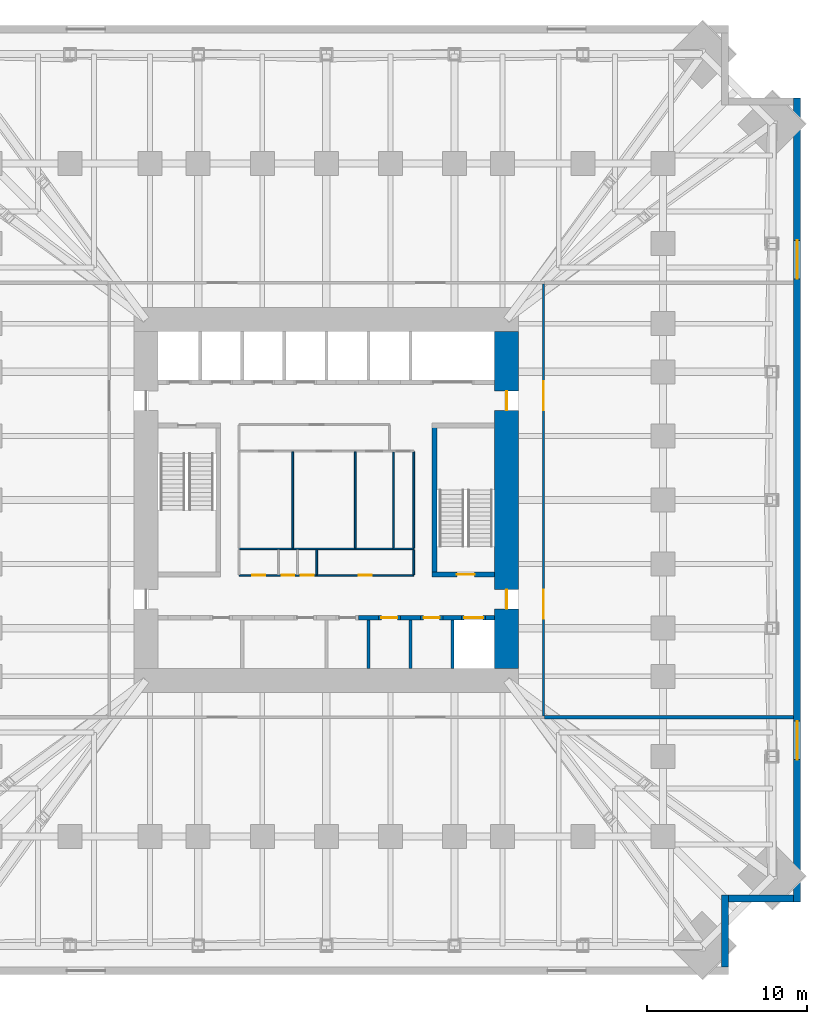
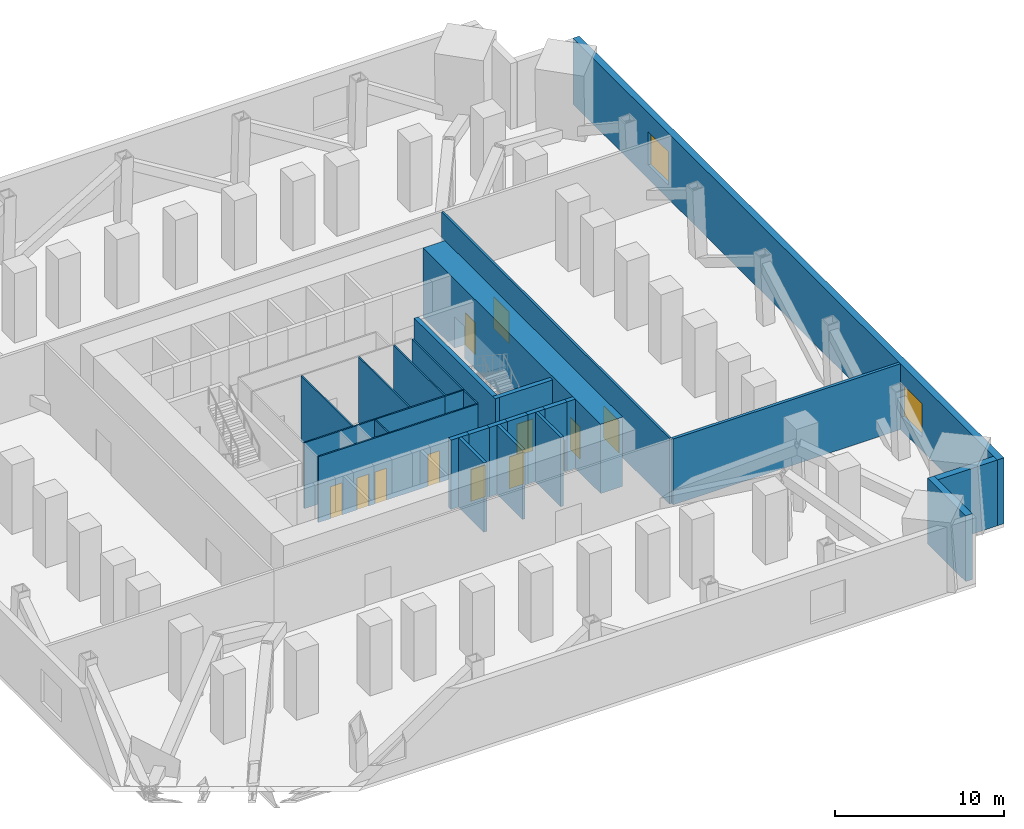
# One storey, part 6 of 9: 27 walls, 12 doors, 2 windows, 14 openings.
"""IFC4 building model written with IfcOpenShell, lengths in metres."""

from ifc_helpers import new_model, si_unit, direction, frame, frame_2d, origin, place, context, subcontext, project, spatial, rectangle, extrude, material, layer, layer_set, type_object, element, fill, save


model = new_model("IFC4")

# Units and contexts
model_context = context("Model", 3, precision=1e-05, world=origin(), true_north=direction((0.0, 1.0)))
body_context = subcontext(model_context, "Body", "Model", "MODEL_VIEW")
ifc_project = project(units=[si_unit("LENGTHUNIT", "METRE"), si_unit("AREAUNIT", "SQUARE_METRE"), si_unit("VOLUMEUNIT", "CUBIC_METRE"), si_unit("PLANEANGLEUNIT", "RADIAN"), si_unit("MASSUNIT", "GRAM", prefix="KILO")], contexts=[model_context])

# Site, building, storey
site_placement = place(None, origin())
site = spatial("IfcSite", under=ifc_project, at=site_placement, CompositionType="ELEMENT")
building_placement = place(site_placement, origin())
building = spatial("IfcBuilding", under=site, at=building_placement, Name="Peilmerk Tower", CompositionType="ELEMENT")
storey_placement = place(building_placement, frame((0.0, 0.0, 76.0)))
storey = spatial("IfcBuildingStorey", under=building, at=storey_placement, Name="L14", CompositionType="ELEMENT", Elevation=76.0)

# Wall, openings, windows
ifc_material_1 = material(Name="Precast concrete C45/55, board-marked finish", Category="concrete")
ifc_layer_1 = layer(ifc_material_1, 0.449951171875)
ifc_layer_set_1 = layer_set([ifc_layer_1], Name="Precast concrete C45/55, board-marked finish")
wall_type_1 = type_object("IfcWallType", Name="EW1 450 precast concrete facade wall, board-marked", PredefinedType="SOLIDWALL", material=ifc_layer_set_1)
wall_1_placement = place(storey_placement, frame((29.375, -25.10009765625, 0.0), z_axis=(0.0, 0.0, 1.0), x_axis=(0.0, 1.0, 0.0)))
wall_1 = element("IfcWall", 1, at=wall_1_placement, inside=storey, type_object=wall_type_1, Name="Facade wall E L14", PredefinedType="SOLIDWALL", context=body_context, shape_type="SweptSolid", body=[
    extrude(rectangle(XDim=50.2001953125, YDim=0.449951171875, at=frame_2d((25.10009765625, 0.0))), origin(), (0.0, 0.0, 1.0), 4.75),
])
opening_1_placement = place(wall_1_placement, frame((8.89990234375, 0.0, 1.0)))
opening_1 = element("IfcOpeningElement", 2, at=opening_1_placement, cuts=wall_1, Name="Opening W5", PredefinedType="OPENING", context=body_context, shape_type="SweptSolid", body=[
    extrude(rectangle(XDim=2.39990234375, YDim=2.39990234375, at=frame_2d((1.199951171875, 1.199951171875))), frame((0.0, 0.23486328125, 0.0), z_axis=(0.0, -1.0, 0.0), x_axis=(1.0, 0.0, 0.0)), (0.0, 0.0, 1.0), 0.469970703125),
])
opening_2_placement = place(wall_1_placement, frame((38.89990234375, 0.0, 1.0)))
opening_2 = element("IfcOpeningElement", 3, at=opening_2_placement, cuts=wall_1, Name="Opening W5", PredefinedType="OPENING", context=body_context, shape_type="SweptSolid", body=[
    extrude(rectangle(XDim=2.39990234375, YDim=2.39990234375, at=frame_2d((1.199951171875, 1.199951171875))), frame((0.0, 0.23486328125, 0.0), z_axis=(0.0, -1.0, 0.0), x_axis=(1.0, 0.0, 0.0)), (0.0, 0.0, 1.0), 0.469970703125),
])
ifc_material_2 = material(Name="Aluminium frame, clear double glazing", Category="aluminium")
window_type = type_object("IfcWindowType", Name="W5 2400x2400 plant louvre", PartitioningType="SINGLE_PANEL", PredefinedType="WINDOW", material=ifc_material_2)
window_1_placement = place(opening_1_placement, origin())
window_1 = element("IfcWindow", 4, at=window_1_placement, inside=storey, type_object=window_type, Name="Window W5 L14", OverallHeight=2.39990234375, OverallWidth=2.39990234375, PartitioningType="SINGLE_PANEL", PredefinedType="WINDOW", context=body_context, shape_type="SweptSolid", body=[
    extrude(rectangle(XDim=2.39990234375, YDim=2.39990234375, at=frame_2d((1.199951171875, 1.199951171875))), frame((0.0, 0.030029296875, 0.0), z_axis=(0.0, -1.0, 0.0), x_axis=(1.0, 0.0, 0.0)), (0.0, 0.0, 1.0), 0.06005859375),
])
fill(opening_1, window_1)
window_2_placement = place(opening_2_placement, origin())
window_2 = element("IfcWindow", 5, at=window_2_placement, inside=storey, type_object=window_type, Name="Window W5 L14", OverallHeight=2.39990234375, OverallWidth=2.39990234375, PartitioningType="SINGLE_PANEL", PredefinedType="WINDOW", context=body_context, shape_type="SweptSolid", body=[
    extrude(rectangle(XDim=2.39990234375, YDim=2.39990234375, at=frame_2d((1.199951171875, 1.199951171875))), frame((0.0, 0.030029296875, 0.0), z_axis=(0.0, -1.0, 0.0), x_axis=(1.0, 0.0, 0.0)), (0.0, 0.0, 1.0), 0.06005859375),
])
fill(opening_2, window_2)

# Walls
wall_2_placement = place(storey_placement, frame((24.875, -24.64990234375, 0.0), z_axis=(0.0, 0.0, 1.0), x_axis=(0.0, -1.0, 0.0)))
element("IfcWall", 6, at=wall_2_placement, inside=storey, type_object=wall_type_1, Name="Facade wall SEA L14", PredefinedType="SOLIDWALL", context=body_context, shape_type="SweptSolid", body=[
    extrude(rectangle(XDim=4.5, YDim=0.449951171875, at=frame_2d((2.25, 0.0))), origin(), (0.0, 0.0, 1.0), 4.75),
])
wall_3_placement = place(storey_placement, frame((25.10009765625, -24.875, 0.0), z_axis=(0.0, 0.0, 1.0), x_axis=(1.0, 0.0, 0.0)))
element("IfcWall", 7, at=wall_3_placement, inside=storey, type_object=wall_type_1, Name="Facade wall SEB L14", PredefinedType="SOLIDWALL", context=body_context, shape_type="SweptSolid", body=[
    extrude(rectangle(XDim=4.0498046875, YDim=0.449951171875, at=frame_2d((2.02490234375, 0.0))), origin(), (0.0, 0.0, 1.0), 4.75),
])

# Wall, openings, doors
ifc_material_3 = material(Name="Calcium silicate block", Category="masonry")
ifc_layer_2 = layer(ifc_material_3, 0.14990234375)
ifc_layer_set_2 = layer_set([ifc_layer_2], Name="Calcium silicate block")
wall_type_2 = type_object("IfcWallType", Name="IW1 150 corridor partition, EI 60", PredefinedType="PARTITIONING", material=ifc_layer_set_2)
wall_4_placement = place(storey_placement, frame((13.550048828125, -13.47509765625, 0.0), z_axis=(0.0, 0.0, 1.0), x_axis=(0.0, 1.0, 0.0)))
wall_4 = element("IfcWall", 8, at=wall_4_placement, inside=storey, type_object=wall_type_2, Name="Corridor wall E L14", PredefinedType="PARTITIONING", context=body_context, shape_type="SweptSolid", body=[
    extrude(rectangle(XDim=26.9501953125, YDim=0.14990234375, at=frame_2d((13.47509765625, 0.0))), origin(), (0.0, 0.0, 1.0), 4.75),
])
opening_3_placement = place(wall_4_placement, frame((6.074951171875, 0.0, 0.0)))
opening_3 = element("IfcOpeningElement", 9, at=opening_3_placement, cuts=wall_4, Name="Opening D2", PredefinedType="OPENING", context=body_context, shape_type="SweptSolid", body=[
    extrude(rectangle(XDim=1.800048828125, YDim=2.300048828125, at=frame_2d((0.89990234375, 1.14990234375))), frame((0.0, 0.0849609375, 0.0), z_axis=(0.0, -1.0, 0.0), x_axis=(1.0, 0.0, 0.0)), (0.0, 0.0, 1.0), 0.169921875),
])
opening_4_placement = place(wall_4_placement, frame((19.074951171875, 0.0, 0.0)))
opening_4 = element("IfcOpeningElement", 10, at=opening_4_placement, cuts=wall_4, Name="Opening D2", PredefinedType="OPENING", context=body_context, shape_type="SweptSolid", body=[
    extrude(rectangle(XDim=1.800048828125, YDim=2.300048828125, at=frame_2d((0.89990234375, 1.14990234375))), frame((0.0, 0.0849609375, 0.0), z_axis=(0.0, -1.0, 0.0), x_axis=(1.0, 0.0, 0.0)), (0.0, 0.0, 1.0), 0.169921875),
])
ifc_material_4 = material(Name="Steel door in steel frame", Category="steel")
door_type_1 = type_object("IfcDoorType", Name="D2 1800x2300 double door, EI2 60", OperationType="DOUBLE_DOOR_DOUBLE_SWING", PredefinedType="DOOR", material=ifc_material_4)
door_1_placement = place(opening_3_placement, frame((1.800048828125, 0.0, 0.0), z_axis=(0.0, 0.0, 1.0), x_axis=(-1.0, 0.0, 0.0)))
door_1 = element("IfcDoor", 11, at=door_1_placement, inside=storey, type_object=door_type_1, Name="Door Refuge area L14", OperationType="DOUBLE_DOOR_DOUBLE_SWING", OverallHeight=2.300048828125, OverallWidth=1.800048828125, PredefinedType="DOOR", context=body_context, shape_type="SweptSolid", body=[
    extrude(rectangle(XDim=1.800048828125, YDim=2.300048828125, at=frame_2d((0.89990234375, 1.14990234375))), frame((0.0, 0.02490234375, 0.0), z_axis=(0.0, -1.0, 0.0), x_axis=(1.0, 0.0, 0.0)), (0.0, 0.0, 1.0), 0.050048828125),
])
fill(opening_3, door_1)
door_2_placement = place(opening_4_placement, frame((1.800048828125, 0.0, 0.0), z_axis=(0.0, 0.0, 1.0), x_axis=(-1.0, 0.0, 0.0)))
door_2 = element("IfcDoor", 12, at=door_2_placement, inside=storey, type_object=door_type_1, Name="Door Refuge area L14", OperationType="DOUBLE_DOOR_DOUBLE_SWING", OverallHeight=2.300048828125, OverallWidth=1.800048828125, PredefinedType="DOOR", context=body_context, shape_type="SweptSolid", body=[
    extrude(rectangle(XDim=1.800048828125, YDim=2.300048828125, at=frame_2d((0.89990234375, 1.14990234375))), frame((0.0, 0.02490234375, 0.0), z_axis=(0.0, -1.0, 0.0), x_axis=(1.0, 0.0, 0.0)), (0.0, 0.0, 1.0), 0.050048828125),
])
fill(opening_4, door_2)

# Walls
ifc_layer_3 = layer(ifc_material_3, 0.199951171875)
ifc_layer_set_3 = layer_set([ifc_layer_3], Name="Calcium silicate block")
wall_type_3 = type_object("IfcWallType", Name="IW2 200 room separating wall, EI 120", PredefinedType="PARTITIONING", material=ifc_layer_set_3)
wall_5_placement = place(storey_placement, frame((29.14990234375, -13.550048828125, 0.0), z_axis=(0.0, 0.0, 1.0), x_axis=(-1.0, 0.0, 0.0)))
element("IfcWall", 13, at=wall_5_placement, inside=storey, type_object=wall_type_3, Name="Room separating wall SE L14", PredefinedType="PARTITIONING", context=body_context, shape_type="SweptSolid", body=[
    extrude(rectangle(XDim=15.52490234375, YDim=0.199951171875, at=frame_2d((7.762451171875, 0.0))), origin(), (0.0, 0.0, 1.0), 4.75),
])
ifc_material_5 = material(Name="Concrete C35/45", Category="concrete")
ifc_layer_4 = layer(ifc_material_5, 0.300048828125)
ifc_layer_set_4 = layer_set([ifc_layer_4], Name="Concrete C35/45")
wall_type_4 = type_object("IfcWallType", Name="IW3 300 concrete stair enclosure wall, EI 120", PredefinedType="SOLIDWALL", material=ifc_layer_set_4)
wall_6_placement = place(storey_placement, frame((6.75, -4.800048828125, 0.0), z_axis=(0.0, 0.0, 1.0), x_axis=(0.0, 1.0, 0.0)))
element("IfcWall", 14, at=wall_6_placement, inside=storey, type_object=wall_type_4, Name="Stair 2 enclosure L14", PredefinedType="SOLIDWALL", context=body_context, shape_type="SweptSolid", body=[
    extrude(rectangle(XDim=9.60009765625, YDim=0.300048828125, at=frame_2d((4.800048828125, 0.0))), origin(), (0.0, 0.0, 1.0), 4.75),
])

# Wall, opening, door
wall_7_placement = place(storey_placement, frame((10.5, -4.64990234375, 0.0), z_axis=(0.0, 0.0, 1.0), x_axis=(-1.0, 0.0, 0.0)))
wall_7 = element("IfcWall", 15, at=wall_7_placement, inside=storey, type_object=wall_type_4, Name="Stair 2 enclosure L14", PredefinedType="SOLIDWALL", context=body_context, shape_type="SweptSolid", body=[
    extrude(rectangle(XDim=3.89990234375, YDim=0.300048828125, at=frame_2d((1.949951171875, 0.0))), origin(), (0.0, 0.0, 1.0), 4.75),
])
opening_5_placement = place(wall_7_placement, frame((1.25, 0.0, 0.0)))
opening_5 = element("IfcOpeningElement", 16, at=opening_5_placement, cuts=wall_7, Name="Opening D4", PredefinedType="OPENING", context=body_context, shape_type="SweptSolid", body=[
    extrude(rectangle(XDim=1.10009765625, YDim=2.300048828125, at=frame_2d((0.550048828125, 1.14990234375))), frame((0.0, 0.159912109375, 0.0), z_axis=(0.0, -1.0, 0.0), x_axis=(1.0, 0.0, 0.0)), (0.0, 0.0, 1.0), 0.320068359375),
])
door_type_2 = type_object("IfcDoorType", Name="D4 1100x2300 stair door, EI2 60", OperationType="SINGLE_SWING_RIGHT", PredefinedType="DOOR", material=ifc_material_4)
door_3_placement = place(opening_5_placement, frame((1.10009765625, 0.0, 0.0), z_axis=(0.0, 0.0, 1.0), x_axis=(-1.0, 0.0, 0.0)))
door_3 = element("IfcDoor", 17, at=door_3_placement, inside=storey, type_object=door_type_2, Name="Stair 2 door L14", OperationType="SINGLE_SWING_RIGHT", OverallHeight=2.300048828125, OverallWidth=1.10009765625, PredefinedType="DOOR", context=body_context, shape_type="SweptSolid", body=[
    extrude(rectangle(XDim=1.10009765625, YDim=2.300048828125, at=frame_2d((0.550048828125, 1.14990234375))), frame((0.0, 0.02490234375, 0.0), z_axis=(0.0, -1.0, 0.0), x_axis=(1.0, 0.0, 0.0)), (0.0, 0.0, 1.0), 0.050048828125),
])
fill(opening_5, door_3)

# Walls
ifc_material_6 = material(Name="Plasterboard on steel studs", Category="steel")
ifc_layer_5 = layer(ifc_material_6, 0.10009765625)
ifc_layer_set_5 = layer_set([ifc_layer_5], Name="Plasterboard on steel studs")
wall_type_5 = type_object("IfcWallType", Name="IW4 100 WC partition", PredefinedType="PARTITIONING", material=ifc_layer_set_5)
wall_8_placement = place(storey_placement, frame((4.14990234375, -3.050048828125, 0.0), z_axis=(0.0, 0.0, 1.0), x_axis=(-1.0, 0.0, 0.0)))
element("IfcWall", 18, at=wall_8_placement, inside=storey, type_object=wall_type_5, Name="WC wall L14", PredefinedType="PARTITIONING", context=body_context, shape_type="SweptSolid", body=[
    extrude(rectangle(XDim=9.599853515625, YDim=0.10009765625, at=frame_2d((4.7998046875, 0.0))), origin(), (0.0, 0.0, 1.0), 4.75),
])
for number, where, z_axis, x_axis, name in (
    (19, (-2.10009765625, -3.0, 0.0), (0.0, 0.0, 1.0), (0.0, 1.0, 0.0), "WC wall L14"),
    (20, (1.800048828125, -3.0, 0.0), (0.0, 0.0, 1.0), (0.0, 1.0, 0.0), "WC wall L14"),
):
    element("IfcWall", number, at=place(storey_placement, frame(where, z_axis=z_axis, x_axis=x_axis)), inside=storey, type_object=wall_type_5, Name=name, PredefinedType="PARTITIONING", context=body_context, shape_type="SweptSolid", body=[
        extrude(rectangle(XDim=6.0, YDim=0.10009765625, at=frame_2d((3.0, 0.0))), origin(), (0.0, 0.0, 1.0), 4.75),
    ])
ifc_material_7 = material(Name="Calcium silicate board on steel studs", Category="steel")
ifc_layer_6 = layer(ifc_material_7, 0.10009765625)
ifc_layer_set_6 = layer_set([ifc_layer_6], Name="Calcium silicate board on steel studs")
wall_type_6 = type_object("IfcWallType", Name="IW5 100 riser enclosure wall, EI 60", PredefinedType="PARTITIONING", material=ifc_layer_set_6)
wall_9_placement = place(storey_placement, frame((5.449951171875, -3.050048828125, 0.0), z_axis=(0.0, 0.0, 1.0), x_axis=(-1.0, 0.0, 0.0)))
element("IfcWall", 21, at=wall_9_placement, inside=storey, type_object=wall_type_6, Name="Riser wall L14", PredefinedType="PARTITIONING", context=body_context, shape_type="SweptSolid", body=[
    extrude(rectangle(XDim=1.300048828125, YDim=0.10009765625, at=frame_2d((0.64990234375, 0.0))), origin(), (0.0, 0.0, 1.0), 4.75),
])
for number, where, z_axis, x_axis, name in (
    (22, (5.449951171875, 3.0, 0.0), (0.0, 0.0, 1.0), (0.0, -1.0, 0.0), "Riser wall L14"),
    (23, (4.199951171875, -3.0, 0.0), (0.0, 0.0, 1.0), (0.0, 1.0, 0.0), "Riser wall L14"),
):
    element("IfcWall", number, at=place(storey_placement, frame(where, z_axis=z_axis, x_axis=x_axis)), inside=storey, type_object=wall_type_6, Name=name, PredefinedType="PARTITIONING", context=body_context, shape_type="SweptSolid", body=[
        extrude(rectangle(XDim=6.0, YDim=0.10009765625, at=frame_2d((3.0, 0.0))), origin(), (0.0, 0.0, 1.0), 4.75),
    ])

# Wall, openings, doors
wall_10_placement = place(storey_placement, frame((5.449951171875, -4.699951171875, 0.0), z_axis=(0.0, 0.0, 1.0), x_axis=(-1.0, 0.0, 0.0)))
wall_10 = element("IfcWall", 24, at=wall_10_placement, inside=storey, type_object=wall_type_6, Name="Riser wall L14", PredefinedType="PARTITIONING", context=body_context, shape_type="SweptSolid", body=[
    extrude(rectangle(XDim=10.89990234375, YDim=0.10009765625, at=frame_2d((5.449951171875, 0.0))), origin(), (0.0, 0.0, 1.0), 4.75),
])
opening_6_placement = place(wall_10_placement, frame((9.27490234375, 0.0, 0.0)))
opening_6 = element("IfcOpeningElement", 25, at=opening_6_placement, cuts=wall_10, Name="Opening D7", PredefinedType="OPENING", context=body_context, shape_type="SweptSolid", body=[
    extrude(rectangle(XDim=0.800048828125, YDim=2.300048828125, at=frame_2d((0.39990234375, 1.14990234375))), frame((0.0, 0.06005859375, 0.0), z_axis=(0.0, -1.0, 0.0), x_axis=(1.0, 0.0, 0.0)), (0.0, 0.0, 1.0), 0.1201171875),
])
opening_7_placement = place(wall_10_placement, frame((7.449951171875, 0.0, 0.0)))
opening_7 = element("IfcOpeningElement", 26, at=opening_7_placement, cuts=wall_10, Name="Opening D7", PredefinedType="OPENING", context=body_context, shape_type="SweptSolid", body=[
    extrude(rectangle(XDim=0.800048828125, YDim=2.300048828125, at=frame_2d((0.39990234375, 1.14990234375))), frame((0.0, 0.06005859375, 0.0), z_axis=(0.0, -1.0, 0.0), x_axis=(1.0, 0.0, 0.0)), (0.0, 0.0, 1.0), 0.1201171875),
])
opening_8_placement = place(wall_10_placement, frame((6.25, 0.0, 0.0)))
opening_8 = element("IfcOpeningElement", 27, at=opening_8_placement, cuts=wall_10, Name="Opening D7", PredefinedType="OPENING", context=body_context, shape_type="SweptSolid", body=[
    extrude(rectangle(XDim=0.800048828125, YDim=2.300048828125, at=frame_2d((0.39990234375, 1.14990234375))), frame((0.0, 0.06005859375, 0.0), z_axis=(0.0, -1.0, 0.0), x_axis=(1.0, 0.0, 0.0)), (0.0, 0.0, 1.0), 0.1201171875),
])
opening_9_placement = place(wall_10_placement, frame((2.625, 0.0, 0.0)))
opening_9 = element("IfcOpeningElement", 28, at=opening_9_placement, cuts=wall_10, Name="Opening D7", PredefinedType="OPENING", context=body_context, shape_type="SweptSolid", body=[
    extrude(rectangle(XDim=0.800048828125, YDim=2.300048828125, at=frame_2d((0.39990234375, 1.14990234375))), frame((0.0, 0.06005859375, 0.0), z_axis=(0.0, -1.0, 0.0), x_axis=(1.0, 0.0, 0.0)), (0.0, 0.0, 1.0), 0.1201171875),
])
door_type_3 = type_object("IfcDoorType", Name="D7 800x2300 riser access door, EI2 60", OperationType="SINGLE_SWING_RIGHT", PredefinedType="DOOR", material=ifc_material_4)
door_4_placement = place(opening_6_placement, frame((0.800048828125, 0.0, 0.0), z_axis=(0.0, 0.0, 1.0), x_axis=(-1.0, 0.0, 0.0)))
door_4 = element("IfcDoor", 29, at=door_4_placement, inside=storey, type_object=door_type_3, Name="Cleaner's cupboard door L14", OperationType="SINGLE_SWING_RIGHT", OverallHeight=2.300048828125, OverallWidth=0.800048828125, PredefinedType="DOOR", context=body_context, shape_type="SweptSolid", body=[
    extrude(rectangle(XDim=0.800048828125, YDim=2.300048828125, at=frame_2d((0.39990234375, 1.14990234375))), frame((0.0, 0.02490234375, 0.0), z_axis=(0.0, -1.0, 0.0), x_axis=(1.0, 0.0, 0.0)), (0.0, 0.0, 1.0), 0.050048828125),
])
fill(opening_6, door_4)
door_5_placement = place(opening_7_placement, frame((0.800048828125, 0.0, 0.0), z_axis=(0.0, 0.0, 1.0), x_axis=(-1.0, 0.0, 0.0)))
door_5 = element("IfcDoor", 30, at=door_5_placement, inside=storey, type_object=door_type_3, Name="Electrical riser door L14", OperationType="SINGLE_SWING_RIGHT", OverallHeight=2.300048828125, OverallWidth=0.800048828125, PredefinedType="DOOR", context=body_context, shape_type="SweptSolid", body=[
    extrude(rectangle(XDim=0.800048828125, YDim=2.300048828125, at=frame_2d((0.39990234375, 1.14990234375))), frame((0.0, 0.02490234375, 0.0), z_axis=(0.0, -1.0, 0.0), x_axis=(1.0, 0.0, 0.0)), (0.0, 0.0, 1.0), 0.050048828125),
])
fill(opening_7, door_5)
door_6_placement = place(opening_8_placement, frame((0.800048828125, 0.0, 0.0), z_axis=(0.0, 0.0, 1.0), x_axis=(-1.0, 0.0, 0.0)))
door_6 = element("IfcDoor", 31, at=door_6_placement, inside=storey, type_object=door_type_3, Name="Data riser door L14", OperationType="SINGLE_SWING_RIGHT", OverallHeight=2.300048828125, OverallWidth=0.800048828125, PredefinedType="DOOR", context=body_context, shape_type="SweptSolid", body=[
    extrude(rectangle(XDim=0.800048828125, YDim=2.300048828125, at=frame_2d((0.39990234375, 1.14990234375))), frame((0.0, 0.02490234375, 0.0), z_axis=(0.0, -1.0, 0.0), x_axis=(1.0, 0.0, 0.0)), (0.0, 0.0, 1.0), 0.050048828125),
])
fill(opening_8, door_6)
door_7_placement = place(opening_9_placement, frame((0.800048828125, 0.0, 0.0), z_axis=(0.0, 0.0, 1.0), x_axis=(-1.0, 0.0, 0.0)))
door_7 = element("IfcDoor", 32, at=door_7_placement, inside=storey, type_object=door_type_3, Name="Comms room door L14", OperationType="SINGLE_SWING_RIGHT", OverallHeight=2.300048828125, OverallWidth=0.800048828125, PredefinedType="DOOR", context=body_context, shape_type="SweptSolid", body=[
    extrude(rectangle(XDim=0.800048828125, YDim=2.300048828125, at=frame_2d((0.39990234375, 1.14990234375))), frame((0.0, 0.02490234375, 0.0), z_axis=(0.0, -1.0, 0.0), x_axis=(1.0, 0.0, 0.0)), (0.0, 0.0, 1.0), 0.050048828125),
])
fill(opening_9, door_7)

# Walls
for number, where, z_axis, x_axis, name in (
    (33, (5.449951171875, -3.10009765625, 0.0), (0.0, 0.0, 1.0), (0.0, -1.0, 0.0), "Riser wall L14"),
    (34, (-0.60009765625, -3.10009765625, 0.0), (0.0, 0.0, 1.0), (0.0, -1.0, 0.0), "Riser wall L14"),
):
    element("IfcWall", number, at=place(storey_placement, frame(where, z_axis=z_axis, x_axis=x_axis)), inside=storey, type_object=wall_type_6, Name=name, PredefinedType="PARTITIONING", context=body_context, shape_type="SweptSolid", body=[
        extrude(rectangle(XDim=1.5498046875, YDim=0.10009765625, at=frame_2d((0.77490234375, 0.0))), origin(), (0.0, 0.0, 1.0), 4.75),
    ])
ifc_layer_7 = layer(ifc_material_3, 0.199951171875)
ifc_layer_set_7 = layer_set([ifc_layer_7], Name="Calcium silicate block")
wall_type_7 = type_object("IfcWallType", Name="SH1 200 shaft dividing wall, EI 120", PredefinedType="PARTITIONING", material=ifc_layer_set_7)
for number, where, z_axis, x_axis, name in (
    (35, (2.625, -10.5, 0.0), (0.0, 0.0, 1.0), (0.0, 1.0, 0.0), "Shaft wall S B3 L14"),
    (36, (5.25, -10.5, 0.0), (0.0, 0.0, 1.0), (0.0, 1.0, 0.0), "Shaft wall S B2 L14"),
    (37, (7.875, -10.5, 0.0), (0.0, 0.0, 1.0), (0.0, 1.0, 0.0), "Shaft wall S B1 L14"),
):
    element("IfcWall", number, at=place(storey_placement, frame(where, z_axis=z_axis, x_axis=x_axis)), inside=storey, type_object=wall_type_7, Name=name, PredefinedType="PARTITIONING", context=body_context, shape_type="SweptSolid", body=[
        extrude(rectangle(XDim=3.0, YDim=0.199951171875, at=frame_2d((1.5, 0.0))), origin(), (0.0, 0.0, 1.0), 5.0),
    ])

# Wall, opening, door
ifc_layer_8 = layer(ifc_material_3, 0.300048828125)
ifc_layer_set_8 = layer_set([ifc_layer_8], Name="Calcium silicate block")
wall_type_8 = type_object("IfcWallType", Name="SH2 300 lift landing door panel, EI 120", PredefinedType="PARTITIONING", material=ifc_layer_set_8)
wall_11_placement = place(storey_placement, frame((3.237548828125, -7.35009765625, 0.0), z_axis=(0.0, 0.0, 1.0), x_axis=(1.0, 0.0, 0.0)))
wall_11 = element("IfcWall", 38, at=wall_11_placement, inside=storey, type_object=wall_type_8, Name="Lift door panel S B2 L14", PredefinedType="PARTITIONING", context=body_context, shape_type="SweptSolid", body=[
    extrude(rectangle(XDim=1.39990234375, YDim=0.300048828125, at=frame_2d((0.699951171875, 0.0))), origin(), (0.0, 0.0, 1.0), 5.0),
])
opening_10_placement = place(wall_11_placement, frame((0.199951171875, 0.0, 0.0)))
opening_10 = element("IfcOpeningElement", 39, at=opening_10_placement, cuts=wall_11, Name="Opening D10", PredefinedType="OPENING", context=body_context, shape_type="SweptSolid", body=[
    extrude(rectangle(XDim=1.0, YDim=2.300048828125, at=frame_2d((0.5, 1.14990234375))), frame((0.0, 0.159912109375, 0.0), z_axis=(0.0, -1.0, 0.0), x_axis=(1.0, 0.0, 0.0)), (0.0, 0.0, 1.0), 0.320068359375),
])
door_type_4 = type_object("IfcDoorType", Name="D10 1000x2300 core room door, EI2 60", OperationType="SINGLE_SWING_RIGHT", PredefinedType="DOOR", material=ifc_material_4)
door_8_placement = place(opening_10_placement, frame((1.0, 0.0, 0.0), z_axis=(0.0, 0.0, 1.0), x_axis=(-1.0, 0.0, 0.0)))
door_8 = element("IfcDoor", 40, at=door_8_placement, inside=storey, type_object=door_type_4, Name="Door Pressurisation plant room L14", OperationType="SINGLE_SWING_RIGHT", OverallHeight=2.300048828125, OverallWidth=1.0, PredefinedType="DOOR", context=body_context, shape_type="SweptSolid", body=[
    extrude(rectangle(XDim=1.0, YDim=2.300048828125, at=frame_2d((0.5, 1.14990234375))), frame((0.0, 0.02490234375, 0.0), z_axis=(0.0, -1.0, 0.0), x_axis=(1.0, 0.0, 0.0)), (0.0, 0.0, 1.0), 0.050048828125),
])
fill(opening_10, door_8)

wall_12_placement = place(storey_placement, frame((5.862548828125, -7.35009765625, 0.0), z_axis=(0.0, 0.0, 1.0), x_axis=(1.0, 0.0, 0.0)))
wall_12 = element("IfcWall", 41, at=wall_12_placement, inside=storey, type_object=wall_type_8, Name="Lift door panel S B1 L14", PredefinedType="PARTITIONING", context=body_context, shape_type="SweptSolid", body=[
    extrude(rectangle(XDim=1.39990234375, YDim=0.300048828125, at=frame_2d((0.699951171875, 0.0))), origin(), (0.0, 0.0, 1.0), 5.0),
])
opening_11_placement = place(wall_12_placement, frame((0.199951171875, 0.0, 0.0)))
opening_11 = element("IfcOpeningElement", 42, at=opening_11_placement, cuts=wall_12, Name="Opening D10", PredefinedType="OPENING", context=body_context, shape_type="SweptSolid", body=[
    extrude(rectangle(XDim=1.0, YDim=2.300048828125, at=frame_2d((0.5, 1.14990234375))), frame((0.0, 0.159912109375, 0.0), z_axis=(0.0, -1.0, 0.0), x_axis=(1.0, 0.0, 0.0)), (0.0, 0.0, 1.0), 0.320068359375),
])
door_9_placement = place(opening_11_placement, frame((1.0, 0.0, 0.0), z_axis=(0.0, 0.0, 1.0), x_axis=(-1.0, 0.0, 0.0)))
door_9 = element("IfcDoor", 43, at=door_9_placement, inside=storey, type_object=door_type_4, Name="Door Electrical plant room L14", OperationType="SINGLE_SWING_RIGHT", OverallHeight=2.300048828125, OverallWidth=1.0, PredefinedType="DOOR", context=body_context, shape_type="SweptSolid", body=[
    extrude(rectangle(XDim=1.0, YDim=2.300048828125, at=frame_2d((0.5, 1.14990234375))), frame((0.0, 0.02490234375, 0.0), z_axis=(0.0, -1.0, 0.0), x_axis=(1.0, 0.0, 0.0)), (0.0, 0.0, 1.0), 0.050048828125),
])
fill(opening_11, door_9)

wall_13_placement = place(storey_placement, frame((8.4375, -7.35009765625, 0.0), z_axis=(0.0, 0.0, 1.0), x_axis=(1.0, 0.0, 0.0)))
wall_13 = element("IfcWall", 44, at=wall_13_placement, inside=storey, type_object=wall_type_8, Name="Lift door panel S FL2 L14", PredefinedType="PARTITIONING", context=body_context, shape_type="SweptSolid", body=[
    extrude(rectangle(XDim=1.5, YDim=0.300048828125, at=frame_2d((0.75, 0.0))), origin(), (0.0, 0.0, 1.0), 5.0),
])
opening_12_placement = place(wall_13_placement, frame((0.14990234375, 0.0, 0.0)))
opening_12 = element("IfcOpeningElement", 45, at=opening_12_placement, cuts=wall_13, Name="Opening LD2", PredefinedType="OPENING", context=body_context, shape_type="SweptSolid", body=[
    extrude(rectangle(XDim=1.199951171875, YDim=2.300048828125, at=frame_2d((0.60009765625, 1.14990234375))), frame((0.0, 0.159912109375, 0.0), z_axis=(0.0, -1.0, 0.0), x_axis=(1.0, 0.0, 0.0)), (0.0, 0.0, 1.0), 0.320068359375),
])
ifc_material_8 = material(Name="Stainless steel landing door", Category="steel")
door_type_5 = type_object("IfcDoorType", Name="LD2 1200x2300 lift landing door, sliding, EI2 60", OperationType="SLIDING_TO_LEFT", PredefinedType="DOOR", material=ifc_material_8)
door_10_placement = place(opening_12_placement, origin())
door_10 = element("IfcDoor", 46, at=door_10_placement, inside=storey, type_object=door_type_5, Name="Lift landing door FL2 L14", OperationType="SLIDING_TO_LEFT", OverallHeight=2.300048828125, OverallWidth=1.199951171875, PredefinedType="DOOR", context=body_context, shape_type="SweptSolid", body=[
    extrude(rectangle(XDim=1.199951171875, YDim=2.300048828125, at=frame_2d((0.60009765625, 1.14990234375))), frame((0.0, 0.02490234375, 0.0), z_axis=(0.0, -1.0, 0.0), x_axis=(1.0, 0.0, 0.0)), (0.0, 0.0, 1.0), 0.050048828125),
])
fill(opening_12, door_10)

# Wall, openings, doors
ifc_material_9 = material(Name="Concrete C55/67", Category="concrete")
ifc_layer_9 = layer(ifc_material_9, 1.5)
ifc_layer_set_9 = layer_set([ifc_layer_9], Name="Concrete C55/67")
wall_type_9 = type_object("IfcWallType", Name="SW1 1500 core wall", PredefinedType="SHEAR", material=ifc_layer_set_9)
wall_14_placement = place(storey_placement, frame((11.25, 10.5, 0.0), z_axis=(0.0, 0.0, 1.0), x_axis=(0.0, -1.0, 0.0)))
wall_14 = element("IfcWall", 47, at=wall_14_placement, inside=storey, type_object=wall_type_9, Name="Core wall E L14", PredefinedType="SHEAR", context=body_context, shape_type="SweptSolid", body=[
    extrude(rectangle(XDim=21.0, YDim=1.5, at=frame_2d((10.5, 0.0))), origin(), (0.0, 0.0, 1.0), 5.0),
])
opening_13_placement = place(wall_14_placement, frame((3.699951171875, 0.0, 0.0)))
opening_13 = element("IfcOpeningElement", 48, at=opening_13_placement, cuts=wall_14, Name="Opening D3", PredefinedType="OPENING", context=body_context, shape_type="SweptSolid", body=[
    extrude(rectangle(XDim=1.199951171875, YDim=2.300048828125, at=frame_2d((0.60009765625, 1.14990234375))), frame((0.0, 0.760009765625, 0.0), z_axis=(0.0, -1.0, 0.0), x_axis=(1.0, 0.0, 0.0)), (0.0, 0.0, 1.0), 1.52001953125),
])
opening_14_placement = place(wall_14_placement, frame((16.10009765625, 0.0, 0.0)))
opening_14 = element("IfcOpeningElement", 49, at=opening_14_placement, cuts=wall_14, Name="Opening D3", PredefinedType="OPENING", context=body_context, shape_type="SweptSolid", body=[
    extrude(rectangle(XDim=1.199951171875, YDim=2.300048828125, at=frame_2d((0.60009765625, 1.14990234375))), frame((0.0, 0.760009765625, 0.0), z_axis=(0.0, -1.0, 0.0), x_axis=(1.0, 0.0, 0.0)), (0.0, 0.0, 1.0), 1.52001953125),
])
door_type_6 = type_object("IfcDoorType", Name="D3 1200x2300 core door, EI2 60", OperationType="SINGLE_SWING_LEFT", PredefinedType="DOOR", material=ifc_material_4)
door_11_placement = place(opening_13_placement, frame((1.199951171875, 0.0, 0.0), z_axis=(0.0, 0.0, 1.0), x_axis=(-1.0, 0.0, 0.0)))
door_11 = element("IfcDoor", 50, at=door_11_placement, inside=storey, type_object=door_type_6, Name="Core door L14", OperationType="SINGLE_SWING_LEFT", OverallHeight=2.300048828125, OverallWidth=1.199951171875, PredefinedType="DOOR", context=body_context, shape_type="SweptSolid", body=[
    extrude(rectangle(XDim=1.199951171875, YDim=2.300048828125, at=frame_2d((0.60009765625, 1.14990234375))), frame((0.0, 0.02490234375, 0.0), z_axis=(0.0, -1.0, 0.0), x_axis=(1.0, 0.0, 0.0)), (0.0, 0.0, 1.0), 0.050048828125),
])
fill(opening_13, door_11)
door_12_placement = place(opening_14_placement, frame((1.199951171875, 0.0, 0.0), z_axis=(0.0, 0.0, 1.0), x_axis=(-1.0, 0.0, 0.0)))
door_12 = element("IfcDoor", 51, at=door_12_placement, inside=storey, type_object=door_type_6, Name="Core door L14", OperationType="SINGLE_SWING_LEFT", OverallHeight=2.300048828125, OverallWidth=1.199951171875, PredefinedType="DOOR", context=body_context, shape_type="SweptSolid", body=[
    extrude(rectangle(XDim=1.199951171875, YDim=2.300048828125, at=frame_2d((0.60009765625, 1.14990234375))), frame((0.0, 0.02490234375, 0.0), z_axis=(0.0, -1.0, 0.0), x_axis=(1.0, 0.0, 0.0)), (0.0, 0.0, 1.0), 0.050048828125),
])
fill(opening_14, door_12)

# Walls
ifc_layer_10 = layer(ifc_material_9, 0.300048828125)
ifc_layer_set_10 = layer_set([ifc_layer_10], Name="Concrete C55/67")
wall_type_10 = type_object("IfcWallType", Name="SW2 300 lift bank pier", PredefinedType="SHEAR", material=ifc_layer_set_10)
for number, where, z_axis, x_axis, name in (
    (52, (2.012451171875, -7.35009765625, 0.0), (0.0, 0.0, 1.0), (1.0, 0.0, 0.0), "Lift bank pier S L14"),
    (53, (4.637451171875, -7.35009765625, 0.0), (0.0, 0.0, 1.0), (1.0, 0.0, 0.0), "Lift bank pier S L14"),
):
    element("IfcWall", number, at=place(storey_placement, frame(where, z_axis=z_axis, x_axis=x_axis)), inside=storey, type_object=wall_type_10, Name=name, PredefinedType="SHEAR", context=body_context, shape_type="SweptSolid", body=[
        extrude(rectangle(XDim=1.22509765625, YDim=0.300048828125, at=frame_2d((0.612548828125, 0.0))), origin(), (0.0, 0.0, 1.0), 5.0),
    ])
wall_15_placement = place(storey_placement, frame((7.262451171875, -7.35009765625, 0.0), z_axis=(0.0, 0.0, 1.0), x_axis=(1.0, 0.0, 0.0)))
element("IfcWall", 54, at=wall_15_placement, inside=storey, type_object=wall_type_10, Name="Lift bank pier S L14", PredefinedType="SHEAR", context=body_context, shape_type="SweptSolid", body=[
    extrude(rectangle(XDim=1.175048828125, YDim=0.300048828125, at=frame_2d((0.58740234375, 0.0))), origin(), (0.0, 0.0, 1.0), 5.0),
])
wall_16_placement = place(storey_placement, frame((9.9375, -7.35009765625, 0.0), z_axis=(0.0, 0.0, 1.0), x_axis=(1.0, 0.0, 0.0)))
element("IfcWall", 55, at=wall_16_placement, inside=storey, type_object=wall_type_10, Name="Lift bank pier S L14", PredefinedType="SHEAR", context=body_context, shape_type="SweptSolid", body=[
    extrude(rectangle(XDim=0.5625, YDim=0.300048828125, at=frame_2d((0.28125, 0.0))), origin(), (0.0, 0.0, 1.0), 5.0),
])

save(model, "model.ifc")
